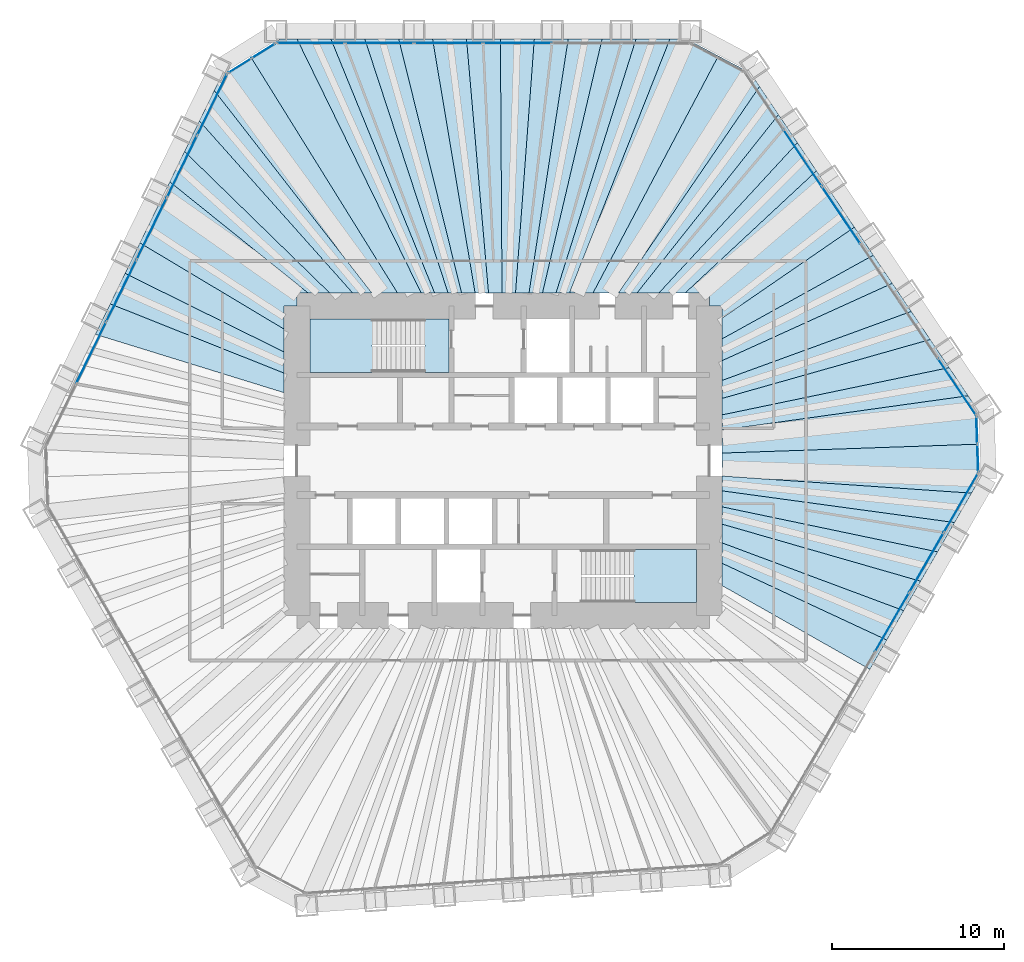
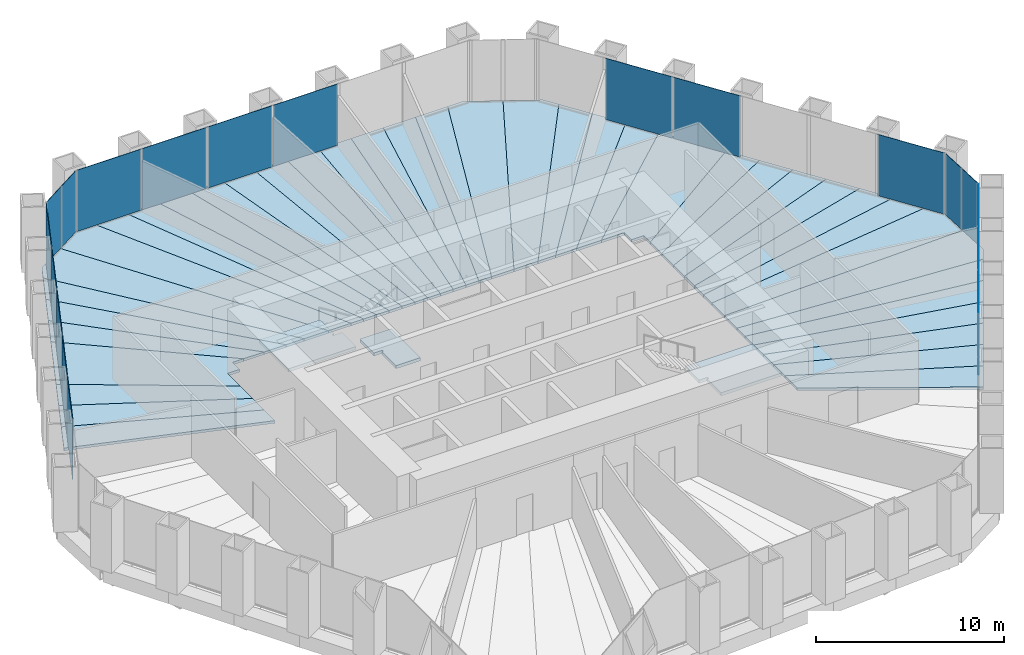
# One storey, part 8 of 12: 43 slabs, 19 plates, 8 elements without a shape of their own.
"""IFC4 building model written with IfcOpenShell, lengths in metres."""

import ifcopenshell
import ifcopenshell.guid

model = None  # the IFC model being written
_history = None  # IfcOwnerHistory: only IFC2X3 demands one
_inside = {}  # id of a spatial element -> (the spatial element, [elements in it])
_under = {}  # id of a project, library or spatial element -> (it, [spatial elements below it])
_declared = {}  # id of a project -> (the project, [libraries it declares])
_typed = {}  # id of a type object -> (the type object, [elements of that type])
_made_of = {}  # id of a material, layer set ... -> (it, [elements and type objects made of it])


def new_model(schema):
    """Start an empty IFC model of exactly this schema.

    Asked for "IFC4X3", IfcOpenShell would pick the latest addendum, in which some entities
    have other attributes; the version numbers below select the first issue.
    IFC2X3 requires an IfcOwnerHistory on every rooted entity: one is made here for all.
    """
    global model, _history
    if schema == "IFC4X3":
        model = ifcopenshell.file(schema_version=(4, 3, 0, 0))
    else:
        model = ifcopenshell.file(schema=schema)
    _inside.clear()
    _under.clear()
    _declared.clear()
    _typed.clear()
    _made_of.clear()
    _history = None
    if model.schema == "IFC2X3":
        org = make("IfcOrganization", Name="unknown")
        user = make(
            "IfcPersonAndOrganization",
            ThePerson=make("IfcPerson", FamilyName="unknown"),
            TheOrganization=org,
        )
        app = make(
            "IfcApplication",
            ApplicationDeveloper=org,
            Version="unknown",
            ApplicationFullName="unknown",
            ApplicationIdentifier="unknown",
        )
        _history = make(
            "IfcOwnerHistory",
            OwningUser=user,
            OwningApplication=app,
            ChangeAction="ADDED",
            CreationDate=0,
        )
    return model


def make(cls, **values):
    """One entity of the class cls with the attributes given. An attribute that is None is left unset."""
    return model.create_entity(
        cls, **{name: value for name, value in values.items() if value is not None}
    )


def rooted(cls, **values):
    """An entity with a GlobalId (a new one), such as an element, a storey or a relation."""
    return make(cls, GlobalId=ifcopenshell.guid.new(), OwnerHistory=_history, **values)


def si_unit(unit_type, name, prefix=None):
    """IfcSIUnit, for example si_unit("LENGTHUNIT", "METRE", prefix="MILLI")."""
    return make("IfcSIUnit", UnitType=unit_type, Prefix=prefix, Name=name)


def assignment(units):
    """IfcUnitAssignment: the units of a project."""
    return None if units is None else make("IfcUnitAssignment", Units=units)


def point(xyz):
    """IfcCartesianPoint."""
    return None if xyz is None else make("IfcCartesianPoint", Coordinates=xyz)


def direction(xyz):
    """IfcDirection."""
    return None if xyz is None else make("IfcDirection", DirectionRatios=xyz)


def frame(location, z_axis=None, x_axis=None):
    """IfcAxis2Placement3D, a coordinate frame: its origin and axes. An axis left out is left unset."""
    return make(
        "IfcAxis2Placement3D",
        Location=point(location),
        Axis=direction(z_axis),
        RefDirection=direction(x_axis),
    )


def frame_2d(location, x_axis=None):
    """IfcAxis2Placement2D, a coordinate frame in the plane: its origin and x axis."""
    return make(
        "IfcAxis2Placement2D", Location=point(location), RefDirection=direction(x_axis)
    )


def origin():
    """The frame at (0, 0, 0) with its axes left unset."""
    return frame((0.0, 0.0, 0.0))


def origin_2d():
    """The frame at (0, 0) in the plane with its x axis left unset."""
    return frame_2d((0.0, 0.0))


def place(relative_to, where):
    """IfcLocalPlacement: puts the frame where relative to a parent placement (None: the world)."""
    return make(
        "IfcLocalPlacement", PlacementRelTo=relative_to, RelativePlacement=where
    )


def context(
    kind, dimensions, precision=None, world=None, true_north=None, identifier=None
):
    """IfcGeometricRepresentationContext, for example the 3D "Model" context."""
    return make(
        "IfcGeometricRepresentationContext",
        ContextIdentifier=identifier,
        ContextType=kind,
        CoordinateSpaceDimension=dimensions,
        Precision=precision,
        WorldCoordinateSystem=world,
        TrueNorth=true_north,
    )


def subcontext(parent, identifier, kind, view, scale=None):
    """IfcGeometricRepresentationSubContext, for example "Body" below "Model"."""
    return make(
        "IfcGeometricRepresentationSubContext",
        ContextIdentifier=identifier,
        ContextType=kind,
        ParentContext=parent,
        TargetScale=scale,
        TargetView=view,
    )


def project(units=None, contexts=None):
    """IfcProject with its units and contexts."""
    return rooted(
        "IfcProject",
        Name="project",
        RepresentationContexts=contexts,
        UnitsInContext=assignment(units),
    )


def spatial(cls, under=None, at=None, **own):
    """A site, building, storey or space (cls), placed at a placement, below another one or the project."""
    s = rooted(cls, ObjectPlacement=at, **own)
    if under is not None:
        _under.setdefault(under.id(), (under, []))[1].append(s)
    return s


def polyline(points):
    """IfcPolyline through the points."""
    return make("IfcPolyline", Points=[point(p) for p in points])


def profile(cls, at=None, kind="AREA", **sizes):
    """A parametric profile (cls). Its sizes go by their IFC names, for example OverallWidth=200.0."""
    return make(cls, ProfileType=kind, Position=at, **sizes)


def rectangle(**sizes):
    """IfcRectangleProfileDef."""
    return profile("IfcRectangleProfileDef", **sizes)


def outline(outer, holes=None, kind="AREA"):
    """IfcArbitraryClosedProfileDef: a profile drawn as a closed curve; with holes, ...WithVoids."""
    if holes is None:
        return make("IfcArbitraryClosedProfileDef", ProfileType=kind, OuterCurve=outer)
    return make(
        "IfcArbitraryProfileDefWithVoids",
        ProfileType=kind,
        OuterCurve=outer,
        InnerCurves=holes,
    )


def extrude(swept, where, along, depth):
    """IfcExtrudedAreaSolid: the profile swept, set in the frame where, extruded along a direction by depth."""
    return make(
        "IfcExtrudedAreaSolid",
        SweptArea=swept,
        Position=where,
        ExtrudedDirection=direction(along),
        Depth=depth,
    )


def shape(context_of_items, identifier, shape_type, items):
    """IfcShapeRepresentation: the items that make up one representation, for example the "Body"."""
    return make(
        "IfcShapeRepresentation",
        ContextOfItems=context_of_items,
        RepresentationIdentifier=identifier,
        RepresentationType=shape_type,
        Items=items,
    )


def material(Name=None, Category=None):
    """IfcMaterial."""
    return make("IfcMaterial", Name=Name, Category=Category)


def layer(
    of_material, thickness, ventilated=None, Name=None, Category=None, Priority=None
):
    """IfcMaterialLayer: one layer of a wall or slab, of a material (None: an air gap)."""
    return make(
        "IfcMaterialLayer",
        Material=of_material,
        LayerThickness=thickness,
        IsVentilated=ventilated,
        Name=Name,
        Category=Category,
        Priority=Priority,
    )


def layer_set(layers, Name=None):
    """IfcMaterialLayerSet."""
    return make("IfcMaterialLayerSet", MaterialLayers=layers, LayerSetName=Name)


def made_of(thing, what):
    """Note that an element or type object is made of a material, layer set ...; save() writes the relation."""
    if what is not None:
        _made_of.setdefault(what.id(), (what, []))[1].append(thing)
    return thing


def type_object(cls, material=None, **own):
    """A type object (cls), such as IfcWallType, which elements share."""
    return made_of(rooted(cls, **own), material)


def element(
    cls,
    number,
    at=None,
    inside=None,
    cuts=None,
    type_object=None,
    material=None,
    context=None,
    identifier="Body",
    shape_type=None,
    held_by="IfcProductDefinitionShape",
    body=None,
    shapes=None,
    **own,
):
    """One element of the class cls, such as IfcWall. Its Tag is "e" and its number.

    at: its placement. inside: the storey or other place that contains it. cuts: it is an
    opening in that element (IfcRelVoidsElement). A single representation is given by context,
    identifier, shape_type and body (its items); several are given by shapes. held_by: the class
    of the entity that holds the representations. save() writes the other relations.
    """
    e = rooted(cls, Tag="e%d" % number, ObjectPlacement=at, **own)
    if body is not None:
        shapes = [shape(context, identifier, shape_type, body)]
    if shapes is not None:
        e.Representation = make(held_by, Representations=shapes)
    if inside is not None:
        _inside.setdefault(inside.id(), (inside, []))[1].append(e)
    if cuts is not None:
        rooted(
            "IfcRelVoidsElement", RelatingBuildingElement=cuts, RelatedOpeningElement=e
        )
    if type_object is not None:
        _typed.setdefault(type_object.id(), (type_object, []))[1].append(e)
    return made_of(e, material)


def aggregate(whole, parts):
    """IfcRelAggregates: a whole, such as a stair, and the parts it consists of."""
    return rooted("IfcRelAggregates", RelatingObject=whole, RelatedObjects=parts)


def save(model, path):
    """Write the relations noted so far, then the file.

    IfcRelAggregates (storeys below a building ...), IfcRelContainedInSpatialStructure (elements
    in a storey), IfcRelDefinesByType, IfcRelAssociatesMaterial and IfcRelDeclares: one each for
    every whole, place, type object, material and project.
    """
    for whole, parts in _under.values():
        aggregate(whole, parts)
    for where, things in _inside.values():
        rooted(
            "IfcRelContainedInSpatialStructure",
            RelatedElements=things,
            RelatingStructure=where,
        )
    for kind, things in _typed.values():
        rooted("IfcRelDefinesByType", RelatedObjects=things, RelatingType=kind)
    for what, things in _made_of.values():
        rooted("IfcRelAssociatesMaterial", RelatedObjects=things, RelatingMaterial=what)
    for by, libraries in _declared.values():
        rooted("IfcRelDeclares", RelatingContext=by, RelatedDefinitions=libraries)
    model.write(path)


model = new_model("IFC4")

# Units and contexts
model_context = context("Model", 3, precision=1e-05, world=origin(), true_north=direction((0.0, 1.0)))
body_context = subcontext(model_context, "Body", "Model", "MODEL_VIEW")
ifc_project = project(units=[si_unit("LENGTHUNIT", "METRE"), si_unit("AREAUNIT", "SQUARE_METRE"), si_unit("VOLUMEUNIT", "CUBIC_METRE"), si_unit("PLANEANGLEUNIT", "RADIAN"), si_unit("MASSUNIT", "GRAM", prefix="KILO")], contexts=[model_context])

# Site, building, storey
site_placement = place(None, origin())
site = spatial("IfcSite", under=ifc_project, at=site_placement, CompositionType="ELEMENT")
building_placement = place(site_placement, origin())
building = spatial("IfcBuilding", under=site, at=building_placement, Name="Qingtian Harvest Tower", CompositionType="ELEMENT")
storey_placement = place(building_placement, frame((0.0, 0.0, 107.199951171875)))
storey = spatial("IfcBuildingStorey", under=building, at=storey_placement, Name="L21", CompositionType="ELEMENT", Elevation=107.199951171875)

# Slabs
ifc_material_1 = material(Name="Concrete fc' 35 MPa", Category="concrete")
ifc_layer_1 = layer(ifc_material_1, 0.169921875)
ifc_layer_set_1 = layer_set([ifc_layer_1], Name="Composite floor slab FS17 170")
slab_type_1 = type_object("IfcSlabType", Name="Composite floor slab FS17 170", PredefinedType="FLOOR", material=ifc_layer_set_1)
slab_1_placement = place(storey_placement, frame((0.0, 0.0, -0.169921875)))
element("IfcSlab", 1, at=slab_1_placement, inside=storey, type_object=slab_type_1, Name="Floor slab L21 panel D33", PredefinedType="FLOOR", context=body_context, shape_type="SweptSolid", body=[
    extrude(outline(polyline([(12.75, -5.97021484375), (22.330322265625, -10.4326171875), (21.343505859375, -12.14208984375), (12.75, -7.268798828125), (12.75, -5.97021484375)])), origin(), (0.0, 0.0, 1.0), 0.169921875),
])
slab_2_placement = place(storey_placement, frame((0.0, 0.0, -0.169921875)))
element("IfcSlab", 2, at=slab_2_placement, inside=storey, type_object=slab_type_1, Name="Floor slab L21 panel D34", PredefinedType="FLOOR", context=body_context, shape_type="SweptSolid", body=[
    extrude(outline(polyline([(12.75, -4.78173828125), (23.317138671875, -8.723388671875), (22.330322265625, -10.4326171875), (12.75, -5.97021484375), (12.75, -4.78173828125)])), origin(), (0.0, 0.0, 1.0), 0.169921875),
])
slab_3_placement = place(storey_placement, frame((0.0, 0.0, -0.169921875)))
element("IfcSlab", 3, at=slab_3_placement, inside=storey, type_object=slab_type_1, Name="Floor slab L21 panel D35", PredefinedType="FLOOR", context=body_context, shape_type="SweptSolid", body=[
    extrude(outline(polyline([(12.75, -3.68994140625), (24.30419921875, -7.013916015625), (23.317138671875, -8.723388671875), (12.75, -4.78173828125), (12.75, -3.68994140625)])), origin(), (0.0, 0.0, 1.0), 0.169921875),
])
slab_4_placement = place(storey_placement, frame((0.0, 0.0, -0.169921875)))
element("IfcSlab", 4, at=slab_4_placement, inside=storey, type_object=slab_type_1, Name="Floor slab L21 panel D36", PredefinedType="FLOOR", context=body_context, shape_type="SweptSolid", body=[
    extrude(outline(polyline([(12.75, -2.683349609375), (25.291015625, -5.3046875), (24.30419921875, -7.013916015625), (12.75, -3.68994140625), (12.75, -2.683349609375)])), origin(), (0.0, 0.0, 1.0), 0.169921875),
])
slab_5_placement = place(storey_placement, frame((0.0, 0.0, -0.169921875)))
element("IfcSlab", 5, at=slab_5_placement, inside=storey, type_object=slab_type_1, Name="Floor slab L21 panel D37", PredefinedType="FLOOR", context=body_context, shape_type="SweptSolid", body=[
    extrude(outline(polyline([(12.75, -1.752685546875), (26.278076171875, -3.59521484375), (25.291015625, -5.3046875), (12.75, -2.683349609375), (12.75, -1.752685546875)])), origin(), (0.0, 0.0, 1.0), 0.169921875),
])
slab_6_placement = place(storey_placement, frame((0.0, 0.0, -0.169921875)))
element("IfcSlab", 6, at=slab_6_placement, inside=storey, type_object=slab_type_1, Name="Floor slab L21 panel D38", PredefinedType="FLOOR", context=body_context, shape_type="SweptSolid", body=[
    extrude(outline(polyline([(12.75, -0.889404296875), (27.264892578125, -1.8857421875), (26.278076171875, -3.59521484375), (12.75, -1.752685546875), (12.75, -0.889404296875)])), origin(), (0.0, 0.0, 1.0), 0.169921875),
])
slab_7_placement = place(storey_placement, frame((0.0, 0.0, -0.169921875)))
element("IfcSlab", 7, at=slab_7_placement, inside=storey, type_object=slab_type_1, Name="Floor slab L21 panel D39", PredefinedType="FLOOR", context=body_context, shape_type="SweptSolid", body=[
    extrude(outline(polyline([(12.75, -0.889404296875), (12.75, 0.447509765625), (27.666015625, 0.96630859375), (27.737060546875, -1.06787109375), (27.264892578125, -1.8857421875), (12.75, -0.889404296875)])), origin(), (0.0, 0.0, 1.0), 0.169921875),
])
slab_8_placement = place(storey_placement, frame((0.0, 0.0, -0.169921875)))
element("IfcSlab", 8, at=slab_8_placement, inside=storey, type_object=slab_type_1, Name="Floor slab L21 panel D40", PredefinedType="FLOOR", context=body_context, shape_type="SweptSolid", body=[
    extrude(outline(polyline([(12.75, 0.447509765625), (12.75, 1.79052734375), (27.06689453125, 3.783203125), (27.594970703125, 3.000244140625), (27.666015625, 0.96630859375), (12.75, 0.447509765625)])), origin(), (0.0, 0.0, 1.0), 0.169921875),
])
slab_9_placement = place(storey_placement, frame((0.0, 0.0, -0.169921875)))
element("IfcSlab", 9, at=slab_9_placement, inside=storey, type_object=slab_type_1, Name="Floor slab L21 panel D41", PredefinedType="FLOOR", context=body_context, shape_type="SweptSolid", body=[
    extrude(outline(polyline([(12.75, 2.671142578125), (25.963134765625, 5.419677734375), (27.06689453125, 3.783203125), (12.75, 1.79052734375), (12.75, 2.671142578125)])), origin(), (0.0, 0.0, 1.0), 0.169921875),
])
slab_10_placement = place(storey_placement, frame((0.0, 0.0, -0.169921875)))
element("IfcSlab", 10, at=slab_10_placement, inside=storey, type_object=slab_type_1, Name="Floor slab L21 panel D42", PredefinedType="FLOOR", context=body_context, shape_type="SweptSolid", body=[
    extrude(outline(polyline([(12.75, 3.6298828125), (24.859375, 7.055908203125), (25.963134765625, 5.419677734375), (12.75, 2.671142578125), (12.75, 3.6298828125)])), origin(), (0.0, 0.0, 1.0), 0.169921875),
])
slab_11_placement = place(storey_placement, frame((0.0, 0.0, -0.169921875)))
element("IfcSlab", 11, at=slab_11_placement, inside=storey, type_object=slab_type_1, Name="Floor slab L21 panel D43", PredefinedType="FLOOR", context=body_context, shape_type="SweptSolid", body=[
    extrude(outline(polyline([(12.75, 4.677734375), (23.755615234375, 8.6923828125), (24.859375, 7.055908203125), (12.75, 3.6298828125), (12.75, 4.677734375)])), origin(), (0.0, 0.0, 1.0), 0.169921875),
])
slab_12_placement = place(storey_placement, frame((0.0, 0.0, -0.169921875)))
element("IfcSlab", 12, at=slab_12_placement, inside=storey, type_object=slab_type_1, Name="Floor slab L21 panel D44", PredefinedType="FLOOR", context=body_context, shape_type="SweptSolid", body=[
    extrude(outline(polyline([(12.75, 5.828125), (22.65185546875, 10.32861328125), (23.755615234375, 8.6923828125), (12.75, 4.677734375), (12.75, 5.828125)])), origin(), (0.0, 0.0, 1.0), 0.169921875),
])
slab_13_placement = place(storey_placement, frame((0.0, 0.0, -0.169921875)))
element("IfcSlab", 13, at=slab_13_placement, inside=storey, type_object=slab_type_1, Name="Floor slab L21 panel D45", PredefinedType="FLOOR", context=body_context, shape_type="SweptSolid", body=[
    extrude(outline(polyline([(12.75, 7.096435546875), (21.548095703125, 11.965087890625), (22.65185546875, 10.32861328125), (12.75, 5.828125), (12.75, 7.096435546875)])), origin(), (0.0, 0.0, 1.0), 0.169921875),
])
slab_14_placement = place(storey_placement, frame((0.0, 0.0, -0.169921875)))
element("IfcSlab", 14, at=slab_14_placement, inside=storey, type_object=slab_type_1, Name="Floor slab L21 panel D46", PredefinedType="FLOOR", context=body_context, shape_type="SweptSolid", body=[
    extrude(outline(polyline([(12.75, 8.30615234375), (20.448486328125, 13.595458984375), (21.548095703125, 11.965087890625), (12.75, 7.096435546875), (12.75, 8.30615234375)])), origin(), (0.0, 0.0, 1.0), 0.169921875),
])
slab_15_placement = place(storey_placement, frame((0.0, 0.0, -0.169921875)))
element("IfcSlab", 15, at=slab_15_placement, inside=storey, type_object=slab_type_1, Name="Floor slab L21 panel D48", PredefinedType="FLOOR", context=body_context, shape_type="SweptSolid", body=[
    extrude(outline(polyline([(18.238037109375, 16.87255859375), (20.448486328125, 13.595458984375), (12.75, 8.30615234375), (12.75, 9.0), (12.0, 9.0), (12.0, 9.75), (10.578369140625, 9.75), (18.238037109375, 16.87255859375)])), origin(), (0.0, 0.0, 1.0), 0.169921875),
])
slab_16_placement = place(storey_placement, frame((0.0, 0.0, -0.169921875)))
element("IfcSlab", 16, at=slab_16_placement, inside=storey, type_object=slab_type_1, Name="Floor slab L21 panel D49", PredefinedType="FLOOR", context=body_context, shape_type="SweptSolid", body=[
    extrude(outline(polyline([(9.0556640625, 9.75), (17.134033203125, 18.50927734375), (18.238037109375, 16.87255859375), (10.578369140625, 9.75), (9.0556640625, 9.75)])), origin(), (0.0, 0.0, 1.0), 0.169921875),
])
slab_17_placement = place(storey_placement, frame((0.0, 0.0, -0.169921875)))
element("IfcSlab", 17, at=slab_17_placement, inside=storey, type_object=slab_type_1, Name="Floor slab L21 panel D50", PredefinedType="FLOOR", context=body_context, shape_type="SweptSolid", body=[
    extrude(outline(polyline([(7.781494140625, 9.75), (16.0302734375, 20.145751953125), (17.134033203125, 18.50927734375), (9.0556640625, 9.75), (7.781494140625, 9.75)])), origin(), (0.0, 0.0, 1.0), 0.169921875),
])
slab_18_placement = place(storey_placement, frame((0.0, 0.0, -0.169921875)))
element("IfcSlab", 18, at=slab_18_placement, inside=storey, type_object=slab_type_1, Name="Floor slab L21 panel D51", PredefinedType="FLOOR", context=body_context, shape_type="SweptSolid", body=[
    extrude(outline(polyline([(6.69970703125, 9.75), (14.926513671875, 21.7822265625), (16.0302734375, 20.145751953125), (7.781494140625, 9.75), (6.69970703125, 9.75)])), origin(), (0.0, 0.0, 1.0), 0.169921875),
])
slab_19_placement = place(storey_placement, frame((0.0, 0.0, -0.169921875)))
element("IfcSlab", 19, at=slab_19_placement, inside=storey, type_object=slab_type_1, Name="Floor slab L21 panel D52", PredefinedType="FLOOR", context=body_context, shape_type="SweptSolid", body=[
    extrude(outline(polyline([(6.69970703125, 9.75), (5.224609375, 9.75), (12.528076171875, 23.5595703125), (14.398193359375, 22.5654296875), (14.926513671875, 21.7822265625), (6.69970703125, 9.75)])), origin(), (0.0, 0.0, 1.0), 0.169921875),
])
slab_20_placement = place(storey_placement, frame((0.0, 0.0, -0.169921875)))
element("IfcSlab", 20, at=slab_20_placement, inside=storey, type_object=slab_type_1, Name="Floor slab L21 panel D53", PredefinedType="FLOOR", context=body_context, shape_type="SweptSolid", body=[
    extrude(outline(polyline([(3.856201171875, 9.75), (9.7119140625, 24.554931640625), (10.656005859375, 24.554931640625), (12.528076171875, 23.5595703125), (5.224609375, 9.75), (3.856201171875, 9.75)])), origin(), (0.0, 0.0, 1.0), 0.169921875),
])
slab_21_placement = place(storey_placement, frame((0.0, 0.0, -0.169921875)))
element("IfcSlab", 21, at=slab_21_placement, inside=storey, type_object=slab_type_1, Name="Floor slab L21 panel D54", PredefinedType="FLOOR", context=body_context, shape_type="SweptSolid", body=[
    extrude(outline(polyline([(3.072509765625, 9.75), (7.73828125, 24.554931640625), (9.7119140625, 24.554931640625), (3.856201171875, 9.75), (3.072509765625, 9.75)])), origin(), (0.0, 0.0, 1.0), 0.169921875),
])
slab_22_placement = place(storey_placement, frame((0.0, 0.0, -0.169921875)))
element("IfcSlab", 22, at=slab_22_placement, inside=storey, type_object=slab_type_1, Name="Floor slab L21 panel D55", PredefinedType="FLOOR", context=body_context, shape_type="SweptSolid", body=[
    extrude(outline(polyline([(2.288818359375, 9.75), (5.764404296875, 24.554931640625), (7.73828125, 24.554931640625), (3.072509765625, 9.75), (2.288818359375, 9.75)])), origin(), (0.0, 0.0, 1.0), 0.169921875),
])
slab_23_placement = place(storey_placement, frame((0.0, 0.0, -0.169921875)))
element("IfcSlab", 23, at=slab_23_placement, inside=storey, type_object=slab_type_1, Name="Floor slab L21 panel D56", PredefinedType="FLOOR", context=body_context, shape_type="SweptSolid", body=[
    extrude(outline(polyline([(1.505126953125, 9.75), (3.790771484375, 24.554931640625), (5.764404296875, 24.554931640625), (2.288818359375, 9.75), (1.505126953125, 9.75)])), origin(), (0.0, 0.0, 1.0), 0.169921875),
])
slab_24_placement = place(storey_placement, frame((0.0, 0.0, -0.169921875)))
element("IfcSlab", 24, at=slab_24_placement, inside=storey, type_object=slab_type_1, Name="Floor slab L21 panel D57", PredefinedType="FLOOR", context=body_context, shape_type="SweptSolid", body=[
    extrude(outline(polyline([(0.721435546875, 9.75), (1.81689453125, 24.554931640625), (3.790771484375, 24.554931640625), (1.505126953125, 9.75), (0.721435546875, 9.75)])), origin(), (0.0, 0.0, 1.0), 0.169921875),
])
slab_25_placement = place(storey_placement, frame((0.0, 0.0, -0.169921875)))
element("IfcSlab", 25, at=slab_25_placement, inside=storey, type_object=slab_type_1, Name="Floor slab L21 panel D58", PredefinedType="FLOOR", context=body_context, shape_type="SweptSolid", body=[
    extrude(outline(polyline([(-0.062255859375, 9.75), (-0.156982421875, 24.554931640625), (1.81689453125, 24.554931640625), (0.721435546875, 9.75), (-0.062255859375, 9.75)])), origin(), (0.0, 0.0, 1.0), 0.169921875),
])
slab_26_placement = place(storey_placement, frame((0.0, 0.0, -0.169921875)))
element("IfcSlab", 26, at=slab_26_placement, inside=storey, type_object=slab_type_1, Name="Floor slab L21 panel D59", PredefinedType="FLOOR", context=body_context, shape_type="SweptSolid", body=[
    extrude(outline(polyline([(-0.845947265625, 9.75), (-2.130615234375, 24.554931640625), (-0.156982421875, 24.554931640625), (-0.062255859375, 9.75), (-0.845947265625, 9.75)])), origin(), (0.0, 0.0, 1.0), 0.169921875),
])
slab_27_placement = place(storey_placement, frame((0.0, 0.0, -0.169921875)))
element("IfcSlab", 27, at=slab_27_placement, inside=storey, type_object=slab_type_1, Name="Floor slab L21 panel D60", PredefinedType="FLOOR", context=body_context, shape_type="SweptSolid", body=[
    extrude(outline(polyline([(-1.629638671875, 9.75), (-4.1044921875, 24.554931640625), (-2.130615234375, 24.554931640625), (-0.845947265625, 9.75), (-1.629638671875, 9.75)])), origin(), (0.0, 0.0, 1.0), 0.169921875),
])
slab_28_placement = place(storey_placement, frame((0.0, 0.0, -0.169921875)))
element("IfcSlab", 28, at=slab_28_placement, inside=storey, type_object=slab_type_1, Name="Floor slab L21 panel D61", PredefinedType="FLOOR", context=body_context, shape_type="SweptSolid", body=[
    extrude(outline(polyline([(-2.41357421875, 9.75), (-6.078125, 24.554931640625), (-4.1044921875, 24.554931640625), (-1.629638671875, 9.75), (-2.41357421875, 9.75)])), origin(), (0.0, 0.0, 1.0), 0.169921875),
])
slab_29_placement = place(storey_placement, frame((0.0, 0.0, -0.169921875)))
element("IfcSlab", 29, at=slab_29_placement, inside=storey, type_object=slab_type_1, Name="Floor slab L21 panel D62", PredefinedType="FLOOR", context=body_context, shape_type="SweptSolid", body=[
    extrude(outline(polyline([(-3.197265625, 9.75), (-8.052001953125, 24.554931640625), (-6.078125, 24.554931640625), (-2.41357421875, 9.75), (-3.197265625, 9.75)])), origin(), (0.0, 0.0, 1.0), 0.169921875),
])
slab_30_placement = place(storey_placement, frame((0.0, 0.0, -0.169921875)))
element("IfcSlab", 30, at=slab_30_placement, inside=storey, type_object=slab_type_1, Name="Floor slab L21 panel D63", PredefinedType="FLOOR", context=body_context, shape_type="SweptSolid", body=[
    extrude(outline(polyline([(-3.98095703125, 9.75), (-10.025634765625, 24.554931640625), (-8.052001953125, 24.554931640625), (-3.197265625, 9.75), (-3.98095703125, 9.75)])), origin(), (0.0, 0.0, 1.0), 0.169921875),
])
slab_31_placement = place(storey_placement, frame((0.0, 0.0, -0.169921875)))
element("IfcSlab", 31, at=slab_31_placement, inside=storey, type_object=slab_type_1, Name="Floor slab L21 panel D64", PredefinedType="FLOOR", context=body_context, shape_type="SweptSolid", body=[
    extrude(outline(polyline([(-4.7646484375, 9.75), (-11.99951171875, 24.554931640625), (-10.025634765625, 24.554931640625), (-3.98095703125, 9.75), (-4.7646484375, 9.75)])), origin(), (0.0, 0.0, 1.0), 0.169921875),
])
slab_32_placement = place(storey_placement, frame((0.0, 0.0, -0.169921875)))
element("IfcSlab", 32, at=slab_32_placement, inside=storey, type_object=slab_type_1, Name="Floor slab L21 panel D65", PredefinedType="FLOOR", context=body_context, shape_type="SweptSolid", body=[
    extrude(outline(polyline([(-4.7646484375, 9.75), (-6.13671875, 9.75), (-14.670654296875, 23.475830078125), (-12.943603515625, 24.554931640625), (-11.99951171875, 24.554931640625), (-4.7646484375, 9.75)])), origin(), (0.0, 0.0, 1.0), 0.169921875),
])
slab_33_placement = place(storey_placement, frame((0.0, 0.0, -0.169921875)))
element("IfcSlab", 33, at=slab_33_placement, inside=storey, type_object=slab_type_1, Name="Floor slab L21 panel D66", PredefinedType="FLOOR", context=body_context, shape_type="SweptSolid", body=[
    extrude(outline(polyline([(-6.13671875, 9.75), (-7.62646484375, 9.75), (-16.809814453125, 21.548828125), (-16.395751953125, 22.39794921875), (-14.670654296875, 23.475830078125), (-6.13671875, 9.75)])), origin(), (0.0, 0.0, 1.0), 0.169921875),
])
slab_34_placement = place(storey_placement, frame((0.0, 0.0, -0.169921875)))
element("IfcSlab", 34, at=slab_34_placement, inside=storey, type_object=slab_type_1, Name="Floor slab L21 panel D67", PredefinedType="FLOOR", context=body_context, shape_type="SweptSolid", body=[
    extrude(outline(polyline([(-8.74169921875, 9.75), (-17.67529296875, 19.774658203125), (-16.809814453125, 21.548828125), (-7.62646484375, 9.75), (-8.74169921875, 9.75)])), origin(), (0.0, 0.0, 1.0), 0.169921875),
])
slab_35_placement = place(storey_placement, frame((0.0, 0.0, -0.169921875)))
element("IfcSlab", 35, at=slab_35_placement, inside=storey, type_object=slab_type_1, Name="Floor slab L21 panel D68", PredefinedType="FLOOR", context=body_context, shape_type="SweptSolid", body=[
    extrude(outline(polyline([(-10.077880859375, 9.75), (-18.54052734375, 18.000244140625), (-17.67529296875, 19.774658203125), (-8.74169921875, 9.75), (-10.077880859375, 9.75)])), origin(), (0.0, 0.0, 1.0), 0.169921875),
])
slab_36_placement = place(storey_placement, frame((0.0, 0.0, -0.169921875)))
element("IfcSlab", 36, at=slab_36_placement, inside=storey, type_object=slab_type_1, Name="Floor slab L21 panel D69", PredefinedType="FLOOR", context=body_context, shape_type="SweptSolid", body=[
    extrude(outline(polyline([(-11.329345703125, 9.75), (-19.4013671875, 16.235595703125), (-18.54052734375, 18.000244140625), (-10.077880859375, 9.75), (-11.329345703125, 9.75)])), origin(), (0.0, 0.0, 1.0), 0.169921875),
])
slab_37_placement = place(storey_placement, frame((0.0, 0.0, -0.169921875)))
element("IfcSlab", 37, at=slab_37_placement, inside=storey, type_object=slab_type_1, Name="Floor slab L21 panel D70", PredefinedType="FLOOR", context=body_context, shape_type="SweptSolid", body=[
    extrude(outline(polyline([(-12.0, 9.0), (-12.75, 9.0), (-12.75, 7.662841796875), (-21.1357421875, 12.6796875), (-19.4013671875, 16.235595703125), (-11.329345703125, 9.75), (-12.0, 9.75), (-12.0, 9.0)])), origin(), (0.0, 0.0, 1.0), 0.169921875),
])
slab_38_placement = place(storey_placement, frame((0.0, 0.0, -0.169921875)))
element("IfcSlab", 38, at=slab_38_placement, inside=storey, type_object=slab_type_1, Name="Floor slab L21 panel D72", PredefinedType="FLOOR", context=body_context, shape_type="SweptSolid", body=[
    extrude(outline(polyline([(-12.75, 6.332275390625), (-22.0009765625, 10.905517578125), (-21.1357421875, 12.6796875), (-12.75, 7.662841796875), (-12.75, 6.332275390625)])), origin(), (0.0, 0.0, 1.0), 0.169921875),
])
slab_39_placement = place(storey_placement, frame((0.0, 0.0, -0.169921875)))
element("IfcSlab", 39, at=slab_39_placement, inside=storey, type_object=slab_type_1, Name="Floor slab L21 panel D73", PredefinedType="FLOOR", context=body_context, shape_type="SweptSolid", body=[
    extrude(outline(polyline([(-12.75, 5.1025390625), (-22.8662109375, 9.131591796875), (-22.0009765625, 10.905517578125), (-12.75, 6.332275390625), (-12.75, 5.1025390625)])), origin(), (0.0, 0.0, 1.0), 0.169921875),
])
slab_40_placement = place(storey_placement, frame((0.0, 0.0, -0.169921875)))
element("IfcSlab", 40, at=slab_40_placement, inside=storey, type_object=slab_type_1, Name="Floor slab L21 panel D74", PredefinedType="FLOOR", context=body_context, shape_type="SweptSolid", body=[
    extrude(outline(polyline([(-12.75, 3.962646484375), (-23.7314453125, 7.357421875), (-22.8662109375, 9.131591796875), (-12.75, 5.1025390625), (-12.75, 3.962646484375)])), origin(), (0.0, 0.0, 1.0), 0.169921875),
])

# Curtain wall, plates
ifc_material_2 = material(Name="Bronze-anodised aluminium curtain wall", Category="aluminium")
curtain_wall_type = type_object("IfcCurtainWallType", Name="Curtain wall CW4 office", PredefinedType="USERDEFINED", material=ifc_material_2)
curtain_wall_1_placement = place(storey_placement, origin())
curtain_wall_1 = element("IfcCurtainWall", 41, at=curtain_wall_1_placement, inside=storey, type_object=curtain_wall_type, Name="Curtain wall CW4 L21 N0-5", ObjectType="RECESSED CURTAIN WALL", PredefinedType="USERDEFINED")
ifc_material_3 = material(Name="Bronze-tinted laminated insulating glass", Category="glass")
ifc_layer_2 = layer(ifc_material_3, 0.030029296875)
ifc_layer_set_2 = layer_set([ifc_layer_2], Name="Glazed panel CWP tinted IGU")
plate_type = type_object("IfcPlateType", Name="Glazed panel CWP tinted IGU", PredefinedType="CURTAIN_PANEL", material=ifc_layer_set_2)
plate_1_placement = place(storey_placement, frame((-11.196044921875, 24.300048828125, 0.06494140625), z_axis=(0.0, 0.0, 1.0), x_axis=(1.0, 0.0, 0.0)))
plate_1 = element("IfcPlate", 42, at=plate_1_placement, type_object=plate_type, Name="CW4 panel 1.1", PredefinedType="CURTAIN_PANEL", context=body_context, shape_type="SweptSolid", body=[
    extrude(rectangle(XDim=3.921630859375, YDim=0.030029296875, at=origin_2d()), origin(), (0.0, 0.0, 1.0), 3.965087890625),
])
plate_2_placement = place(storey_placement, frame((-7.193115234375, 24.300048828125, 0.06494140625), z_axis=(0.0, 0.0, 1.0), x_axis=(1.0, 0.0, 0.0)))
plate_2 = element("IfcPlate", 43, at=plate_2_placement, type_object=plate_type, Name="CW4 panel 2.1", PredefinedType="CURTAIN_PANEL", context=body_context, shape_type="SweptSolid", body=[
    extrude(rectangle(XDim=3.9541015625, YDim=0.030029296875, at=origin_2d()), origin(), (0.0, 0.0, 1.0), 3.965087890625),
])
plate_3_placement = place(storey_placement, frame((-3.174072265625, 24.300048828125, 0.06494140625), z_axis=(0.0, 0.0, 1.0), x_axis=(1.0, 0.0, 0.0)))
plate_3 = element("IfcPlate", 44, at=plate_3_placement, type_object=plate_type, Name="CW4 panel 3.1", PredefinedType="CURTAIN_PANEL", context=body_context, shape_type="SweptSolid", body=[
    extrude(rectangle(XDim=3.9541015625, YDim=0.030029296875, at=origin_2d()), origin(), (0.0, 0.0, 1.0), 3.965087890625),
])
plate_4_placement = place(storey_placement, frame((0.844970703125, 24.300048828125, 0.06494140625), z_axis=(0.0, 0.0, 1.0), x_axis=(1.0, 0.0, 0.0)))
plate_4 = element("IfcPlate", 45, at=plate_4_placement, type_object=plate_type, Name="CW4 panel 4.1", PredefinedType="CURTAIN_PANEL", context=body_context, shape_type="SweptSolid", body=[
    extrude(rectangle(XDim=3.9541015625, YDim=0.030029296875, at=origin_2d()), origin(), (0.0, 0.0, 1.0), 3.965087890625),
])
aggregate(curtain_wall_1, [plate_1, plate_2, plate_3, plate_4])

curtain_wall_2_placement = place(storey_placement, origin())
curtain_wall_2 = element("IfcCurtainWall", 46, at=curtain_wall_2_placement, inside=storey, type_object=curtain_wall_type, Name="Curtain wall CW4 L21 NE0-5", ObjectType="RECESSED CURTAIN WALL", PredefinedType="USERDEFINED")
plate_5_placement = place(storey_placement, frame((17.425537109375, 17.620849609375, 0.06494140625), z_axis=(0.0, 0.0, 1.0), x_axis=(0.559192903471, -0.829037572555, 0.0)))
plate_5 = element("IfcPlate", 47, at=plate_5_placement, type_object=plate_type, Name="CW4 panel 2.1", PredefinedType="CURTAIN_PANEL", context=body_context, shape_type="SweptSolid", body=[
    extrude(rectangle(XDim=3.9541015625, YDim=0.030029296875, at=origin_2d()), origin(), (0.0, 0.0, 1.0), 3.965087890625),
])
plate_6_placement = place(storey_placement, frame((19.673095703125, 14.2890625, 0.06494140625), z_axis=(0.0, 0.0, 1.0), x_axis=(0.559192903471, -0.829037572555, 0.0)))
plate_6 = element("IfcPlate", 48, at=plate_6_placement, type_object=plate_type, Name="CW4 panel 3.1", PredefinedType="CURTAIN_PANEL", context=body_context, shape_type="SweptSolid", body=[
    extrude(rectangle(XDim=3.9541015625, YDim=0.030029296875, at=origin_2d()), origin(), (0.0, 0.0, 1.0), 3.965087890625),
])
plate_7_placement = place(storey_placement, frame((26.40625, 4.306640625, 0.06494140625), z_axis=(0.0, 0.0, 1.0), x_axis=(0.559192903471, -0.829037572555, 0.0)))
plate_7 = element("IfcPlate", 49, at=plate_7_placement, type_object=plate_type, Name="CW4 panel 6.1", PredefinedType="CURTAIN_PANEL", context=body_context, shape_type="SweptSolid", body=[
    extrude(rectangle(XDim=3.921630859375, YDim=0.030029296875, at=origin_2d()), origin(), (0.0, 0.0, 1.0), 3.965087890625),
])
aggregate(curtain_wall_2, [plate_5, plate_6, plate_7])

curtain_wall_3_placement = place(storey_placement, origin())
curtain_wall_3 = element("IfcCurtainWall", 50, at=curtain_wall_3_placement, inside=storey, type_object=curtain_wall_type, Name="Curtain wall CW4 L21 NEC", ObjectType="RECESSED CURTAIN WALL", PredefinedType="USERDEFINED")
plate_8_placement = place(storey_placement, frame((27.568603515625, 1.779052734375, 0.06494140625), z_axis=(0.0, 0.0, 1.0), x_axis=(0.034899496703, -0.999390827019, 0.0)))
plate_8 = element("IfcPlate", 51, at=plate_8_placement, type_object=plate_type, Name="CW4 panel 1.1", PredefinedType="CURTAIN_PANEL", context=body_context, shape_type="SweptSolid", body=[
    extrude(rectangle(XDim=1.56689453125, YDim=0.030029296875, at=origin_2d()), origin(), (0.0, 0.0, 1.0), 3.965087890625),
])
plate_9_placement = place(storey_placement, frame((27.625732421875, 0.148193359375, 0.06494140625), z_axis=(0.0, 0.0, 1.0), x_axis=(0.034899496703, -0.999390827019, 0.0)))
plate_9 = element("IfcPlate", 52, at=plate_9_placement, type_object=plate_type, Name="CW4 panel 2.1", PredefinedType="CURTAIN_PANEL", context=body_context, shape_type="SweptSolid", body=[
    extrude(rectangle(XDim=1.56689453125, YDim=0.030029296875, at=origin_2d()), origin(), (0.0, 0.0, 1.0), 3.965087890625),
])
aggregate(curtain_wall_3, [plate_8, plate_9])

curtain_wall_4_placement = place(storey_placement, origin())
curtain_wall_4 = element("IfcCurtainWall", 53, at=curtain_wall_4_placement, inside=storey, type_object=curtain_wall_type, Name="Curtain wall CW4 L21 SE0-5", ObjectType="RECESSED CURTAIN WALL", PredefinedType="USERDEFINED")
plate_10_placement = place(storey_placement, frame((26.642333984375, -2.4541015625, 0.06494140625), z_axis=(0.0, 0.0, 1.0), x_axis=(-0.5, -0.866025403784, 0.0)))
plate_10 = element("IfcPlate", 54, at=plate_10_placement, type_object=plate_type, Name="CW4 panel 1.1", PredefinedType="CURTAIN_PANEL", context=body_context, shape_type="SweptSolid", body=[
    extrude(rectangle(XDim=3.921630859375, YDim=0.030029296875, at=origin_2d()), origin(), (0.0, 0.0, 1.0), 3.965087890625),
])
plate_11_placement = place(storey_placement, frame((24.640869140625, -5.920654296875, 0.06494140625), z_axis=(0.0, 0.0, 1.0), x_axis=(-0.5, -0.866025403784, 0.0)))
plate_11 = element("IfcPlate", 55, at=plate_11_placement, type_object=plate_type, Name="CW4 panel 2.1", PredefinedType="CURTAIN_PANEL", context=body_context, shape_type="SweptSolid", body=[
    extrude(rectangle(XDim=3.9541015625, YDim=0.030029296875, at=origin_2d()), origin(), (0.0, 0.0, 1.0), 3.965087890625),
])
plate_12_placement = place(storey_placement, frame((22.63134765625, -9.401123046875, 0.06494140625), z_axis=(0.0, 0.0, 1.0), x_axis=(-0.5, -0.866025403784, 0.0)))
plate_12 = element("IfcPlate", 56, at=plate_12_placement, type_object=plate_type, Name="CW4 panel 3.1", PredefinedType="CURTAIN_PANEL", context=body_context, shape_type="SweptSolid", body=[
    extrude(rectangle(XDim=3.9541015625, YDim=0.030029296875, at=origin_2d()), origin(), (0.0, 0.0, 1.0), 3.965087890625),
])
aggregate(curtain_wall_4, [plate_10, plate_11, plate_12])

curtain_wall_5_placement = place(storey_placement, origin())
curtain_wall_5 = element("IfcCurtainWall", 57, at=curtain_wall_5_placement, inside=storey, type_object=curtain_wall_type, Name="Curtain wall CW4 L21 NW0-5", ObjectType="RECESSED CURTAIN WALL", PredefinedType="USERDEFINED")
plate_13_placement = place(storey_placement, frame((-23.972900390625, 6.280517578125, 0.06494140625), z_axis=(0.0, 0.0, 1.0), x_axis=(0.438371146789, 0.898794046299, 0.0)))
plate_13 = element("IfcPlate", 58, at=plate_13_placement, type_object=plate_type, Name="CW4 panel 2.1", PredefinedType="CURTAIN_PANEL", context=body_context, shape_type="SweptSolid", body=[
    extrude(rectangle(XDim=3.9541015625, YDim=0.030029296875, at=origin_2d()), origin(), (0.0, 0.0, 1.0), 3.965087890625),
])
plate_14_placement = place(storey_placement, frame((-22.211181640625, 9.892822265625, 0.06494140625), z_axis=(0.0, 0.0, 1.0), x_axis=(0.438371146789, 0.898794046299, 0.0)))
plate_14 = element("IfcPlate", 59, at=plate_14_placement, type_object=plate_type, Name="CW4 panel 3.1", PredefinedType="CURTAIN_PANEL", context=body_context, shape_type="SweptSolid", body=[
    extrude(rectangle(XDim=3.9541015625, YDim=0.030029296875, at=origin_2d()), origin(), (0.0, 0.0, 1.0), 3.965087890625),
])
plate_15_placement = place(storey_placement, frame((-20.44921875, 13.505126953125, 0.06494140625), z_axis=(0.0, 0.0, 1.0), x_axis=(0.438371146789, 0.898794046299, 0.0)))
plate_15 = element("IfcPlate", 60, at=plate_15_placement, type_object=plate_type, Name="CW4 panel 4.1", PredefinedType="CURTAIN_PANEL", context=body_context, shape_type="SweptSolid", body=[
    extrude(rectangle(XDim=3.9541015625, YDim=0.030029296875, at=origin_2d()), origin(), (0.0, 0.0, 1.0), 3.965087890625),
])
plate_16_placement = place(storey_placement, frame((-18.6875, 17.117431640625, 0.06494140625), z_axis=(0.0, 0.0, 1.0), x_axis=(0.438371146789, 0.898794046299, 0.0)))
plate_16 = element("IfcPlate", 61, at=plate_16_placement, type_object=plate_type, Name="CW4 panel 5.1", PredefinedType="CURTAIN_PANEL", context=body_context, shape_type="SweptSolid", body=[
    extrude(rectangle(XDim=3.9541015625, YDim=0.030029296875, at=origin_2d()), origin(), (0.0, 0.0, 1.0), 3.965087890625),
])
plate_17_placement = place(storey_placement, frame((-16.9326171875, 20.71533203125, 0.06494140625), z_axis=(0.0, 0.0, 1.0), x_axis=(0.438371146789, 0.898794046299, 0.0)))
plate_17 = element("IfcPlate", 62, at=plate_17_placement, type_object=plate_type, Name="CW4 panel 6.1", PredefinedType="CURTAIN_PANEL", context=body_context, shape_type="SweptSolid", body=[
    extrude(rectangle(XDim=3.921630859375, YDim=0.030029296875, at=origin_2d()), origin(), (0.0, 0.0, 1.0), 3.965087890625),
])
aggregate(curtain_wall_5, [plate_13, plate_14, plate_15, plate_16, plate_17])

curtain_wall_6_placement = place(storey_placement, origin())
curtain_wall_6 = element("IfcCurtainWall", 63, at=curtain_wall_6_placement, inside=storey, type_object=curtain_wall_type, Name="Curtain wall CW4 L21 NWC", ObjectType="RECESSED CURTAIN WALL", PredefinedType="USERDEFINED")
plate_18_placement = place(storey_placement, frame((-15.3251953125, 22.985595703125, 0.06494140625), z_axis=(0.0, 0.0, 1.0), x_axis=(0.848048096156, 0.529919264233, 0.0)))
plate_18 = element("IfcPlate", 64, at=plate_18_placement, type_object=plate_type, Name="CW4 panel 1.1", PredefinedType="CURTAIN_PANEL", context=body_context, shape_type="SweptSolid", body=[
    extrude(rectangle(XDim=1.56689453125, YDim=0.030029296875, at=origin_2d()), origin(), (0.0, 0.0, 1.0), 3.965087890625),
])
plate_19_placement = place(storey_placement, frame((-13.941162109375, 23.850341796875, 0.06494140625), z_axis=(0.0, 0.0, 1.0), x_axis=(0.848048096156, 0.529919264233, 0.0)))
plate_19 = element("IfcPlate", 65, at=plate_19_placement, type_object=plate_type, Name="CW4 panel 2.1", PredefinedType="CURTAIN_PANEL", context=body_context, shape_type="SweptSolid", body=[
    extrude(rectangle(XDim=1.56689453125, YDim=0.030029296875, at=origin_2d()), origin(), (0.0, 0.0, 1.0), 3.965087890625),
])
aggregate(curtain_wall_6, [plate_18, plate_19])

# Stair, slabs
ifc_material_4 = material(Name="Concrete fc' 35 MPa", Category="concrete")
stair_type = type_object("IfcStairType", Name="Special stair ST3 4200", PredefinedType="HALF_TURN_STAIR", material=ifc_material_4)
stair_1_placement = place(storey_placement, origin())
stair_1 = element("IfcStair", 66, at=stair_1_placement, inside=storey, type_object=stair_type, Name="Special stair S1 L21", PredefinedType="HALF_TURN_STAIR")
ifc_material_5 = material(Name="Concrete fc' 35 MPa", Category="concrete")
ifc_layer_3 = layer(ifc_material_5, 0.199951171875)
ifc_layer_set_3 = layer_set([ifc_layer_3], Name="Stair landing SL2 200")
slab_type_2 = type_object("IfcSlabType", Name="Stair landing SL2 200", PredefinedType="LANDING", material=ifc_layer_set_3)
slab_41_placement = place(storey_placement, frame((0.0, 0.0, -0.199951171875)))
slab_41 = element("IfcSlab", 67, at=slab_41_placement, type_object=slab_type_2, Name="S1 landing 1", PredefinedType="LANDING", context=body_context, shape_type="SweptSolid", body=[
    extrude(outline(polyline([(-4.64990234375, 5.14990234375), (-4.64990234375, 6.64990234375), (-4.550048828125, 6.64990234375), (-4.550048828125, 6.75), (-5.0849609375, 6.75), (-5.0849609375, 8.25), (-3.14990234375, 8.25), (-3.14990234375, 5.14990234375), (-4.64990234375, 5.14990234375)])), origin(), (0.0, 0.0, 1.0), 0.199951171875),
])
slab_42_placement = place(storey_placement, frame((0.0, 0.0, 1.900146484375)))
slab_42 = element("IfcSlab", 68, at=slab_42_placement, type_object=slab_type_2, Name="S1 landing 2", PredefinedType="LANDING", context=body_context, shape_type="SweptSolid", body=[
    extrude(outline(polyline([(-7.094970703125, 5.14990234375), (-11.25, 5.14990234375), (-11.25, 8.25), (-7.530029296875, 8.25), (-7.530029296875, 6.75), (-7.6298828125, 6.75), (-7.6298828125, 6.64990234375), (-7.094970703125, 6.64990234375), (-7.094970703125, 5.14990234375)])), origin(), (0.0, 0.0, 1.0), 0.199951171875),
])
aggregate(stair_1, [slab_41, slab_42])

# Stair, slab
stair_2_placement = place(storey_placement, origin())
stair_2 = element("IfcStair", 69, at=stair_2_placement, inside=storey, type_object=stair_type, Name="Special stair S2 L21", PredefinedType="HALF_TURN_STAIR")
slab_43_placement = place(storey_placement, frame((0.0, 0.0, 1.900146484375)))
slab_43 = element("IfcSlab", 70, at=slab_43_placement, type_object=slab_type_2, Name="S2 landing 2", PredefinedType="LANDING", context=body_context, shape_type="SweptSolid", body=[
    extrude(outline(polyline([(7.530029296875, -8.25), (7.530029296875, -6.75), (7.6298828125, -6.75), (7.6298828125, -6.64990234375), (7.094970703125, -6.64990234375), (7.094970703125, -5.14990234375), (11.25, -5.14990234375), (11.25, -8.25), (7.530029296875, -8.25)])), origin(), (0.0, 0.0, 1.0), 0.199951171875),
])
aggregate(stair_2, [slab_43])

save(model, "model.ifc")
